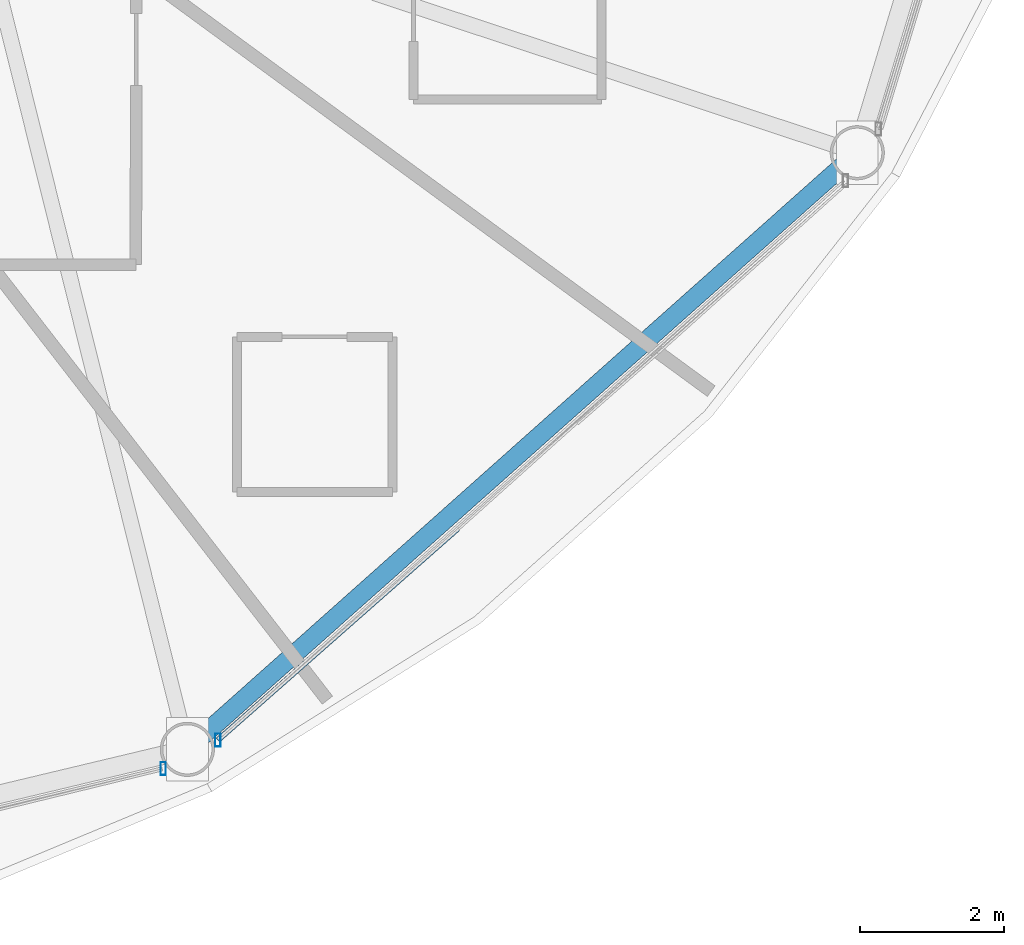
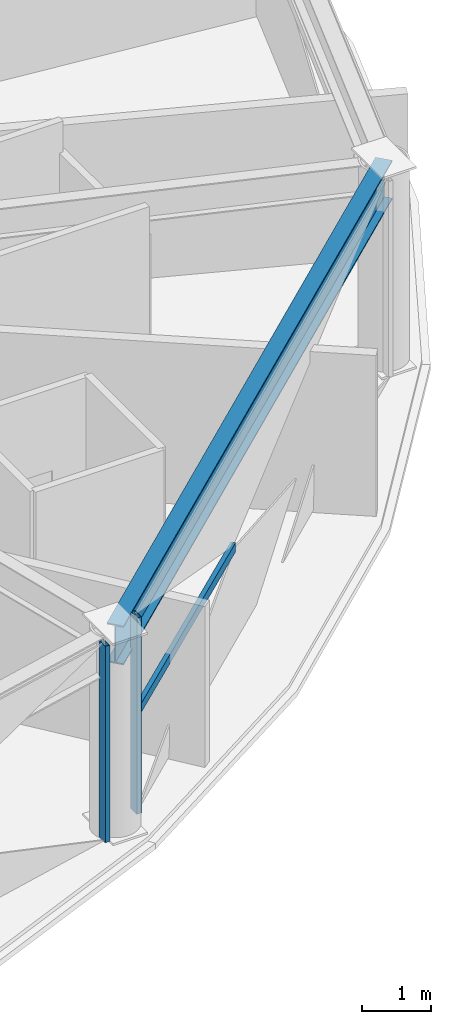
# One storey, part 9 of 31: 3 members, 1 beam, 2 elements without a shape of their own.
"""IFC4 building model written with IfcOpenShell, lengths in metres."""

from ifc_helpers import new_model, si_unit, direction, frame, origin, origin_2d, place, context, subcontext, project, spatial, hollow_rectangle, i_section, extrude, material, layer, layer_set, material_profile, profile_set, type_object, element, aggregate, save


model = new_model("IFC4")

# Units and contexts
model_context = context("Model", 3, precision=1e-05, world=origin(), true_north=direction((0.0, 1.0)))
body_context = subcontext(model_context, "Body", "Model", "MODEL_VIEW")
ifc_project = project(units=[si_unit("LENGTHUNIT", "METRE"), si_unit("AREAUNIT", "SQUARE_METRE"), si_unit("VOLUMEUNIT", "CUBIC_METRE"), si_unit("PLANEANGLEUNIT", "RADIAN"), si_unit("MASSUNIT", "GRAM", prefix="KILO")], contexts=[model_context])

# Site, building, storey
site_placement = place(None, origin())
site = spatial("IfcSite", under=ifc_project, at=site_placement, CompositionType="ELEMENT")
building_placement = place(site_placement, origin())
building = spatial("IfcBuilding", under=site, at=building_placement, Name="Vantalir Tower", CompositionType="ELEMENT")
storey_placement = place(building_placement, frame((0.0, 0.0, 123.449951171875)))
storey = spatial("IfcBuildingStorey", under=building, at=storey_placement, Name="L30", CompositionType="ELEMENT", Elevation=123.449951171875)

# Beam
ifc_material_1 = material(Name="Steel S460", Category="steel")
ifc_material_profile_1 = material_profile(ifc_material_1, i_section(OverallWidth=0.256103515625, OverallDepth=0.693115234375, WebThickness=0.014404296875, FlangeThickness=0.023681640625, at=origin_2d()), Name="Steel S460")
ifc_profile_set_1 = profile_set([ifc_material_profile_1], Name="Steel S460")
beam_type = type_object("IfcBeamType", Name="BM-RG-686x254", PredefinedType="USERDEFINED", material=ifc_profile_set_1)
beam_placement = place(storey_placement, frame((44.169921875, 5.45703125, 3.22314453125), z_axis=(0.746791899704, 0.665057785862, 0.0), x_axis=(-0.665057785862, 0.746791899704, 0.0)))
element("IfcBeam", 1, at=beam_placement, inside=storey, type_object=beam_type, Name="L30 Circumferential Ring Girder 11", ObjectType="GIRDER", PredefinedType="USERDEFINED", context=body_context, shape_type="SweptSolid", body=[
    extrude(i_section(OverallWidth=0.256103515625, OverallDepth=0.693115234375, WebThickness=0.014404296875, FlangeThickness=0.023681640625, at=origin_2d()), origin(), (0.0, 0.0, 1.0), 12.419921875),
])

# Curtain wall, member
ifc_material_2 = material(Name="Champagne-silver PVDF aluminium and double-silver Low-E glass", Category="aluminium")
ifc_layer = layer(ifc_material_2, 0.199951171875)
ifc_layer_set = layer_set([ifc_layer], Name="Champagne-silver PVDF aluminium and double-silver Low-E glass")
curtain_wall_type = type_object("IfcCurtainWallType", Name="CW-DIAMOND-Z2", PredefinedType="USERDEFINED", material=ifc_layer_set)
curtain_wall_1_placement = place(storey_placement, origin())
curtain_wall_1 = element("IfcCurtainWall", 2, at=curtain_wall_1_placement, inside=storey, type_object=curtain_wall_type, Name="L30 Quilted Pyramid-Diamond Curtain Wall S10", ObjectType="UNITISED CURTAIN WALL", PredefinedType="USERDEFINED")
ifc_material_3 = material(Name="Champagne-silver PVDF aluminium 6063-T6", Category="aluminium")
ifc_material_profile_2 = material_profile(ifc_material_3, hollow_rectangle(XDim=0.074951171875, YDim=0.179931640625, WallThickness=0.00390625, at=origin_2d()), Name="Champagne-silver PVDF aluminium 6063-T6")
ifc_profile_set_2 = profile_set([ifc_material_profile_2], Name="Champagne-silver PVDF aluminium 6063-T6")
member_type_1 = type_object("IfcMemberType", Name="CWM-180x75", PredefinedType="MULLION", material=ifc_profile_set_2)
member_1_placement = place(storey_placement, frame((43.8369140625, 5.19091796875, 0.045166015625), z_axis=(0.0, 0.0, 1.0), x_axis=(1.0, 0.0, 0.0)))
member_1 = element("IfcMember", 3, at=member_1_placement, type_object=member_type_1, Name="CW-L30-S10 Mullion 2", PredefinedType="MULLION", context=body_context, shape_type="SweptSolid", body=[
    extrude(hollow_rectangle(XDim=0.074951171875, YDim=0.179931640625, WallThickness=0.00390625, at=origin_2d()), origin(), (0.0, 0.0, 1.0), 3.47998046875),
])
aggregate(curtain_wall_1, [member_1])

# Curtain wall, members
curtain_wall_2_placement = place(storey_placement, origin())
curtain_wall_2 = element("IfcCurtainWall", 4, at=curtain_wall_2_placement, inside=storey, type_object=curtain_wall_type, Name="L30 Quilted Pyramid-Diamond Curtain Wall S11", ObjectType="UNITISED CURTAIN WALL", PredefinedType="USERDEFINED")
member_2_placement = place(storey_placement, frame((44.593017578125, 5.5859375, 0.045166015625), z_axis=(0.0, 0.0, 1.0), x_axis=(1.0, 0.0, 0.0)))
member_2 = element("IfcMember", 5, at=member_2_placement, type_object=member_type_1, Name="CW-L30-S11 Mullion 1", PredefinedType="MULLION", context=body_context, shape_type="SweptSolid", body=[
    extrude(hollow_rectangle(XDim=0.074951171875, YDim=0.179931640625, WallThickness=0.00390625, at=origin_2d()), origin(), (0.0, 0.0, 1.0), 3.47998046875),
])
ifc_material_profile_3 = material_profile(ifc_material_3, hollow_rectangle(XDim=0.074951171875, YDim=0.159912109375, WallThickness=0.00390625, at=origin_2d()), Name="Champagne-silver PVDF aluminium 6063-T6")
ifc_profile_set_3 = profile_set([ifc_material_profile_3], Name="Champagne-silver PVDF aluminium 6063-T6")
member_type_2 = type_object("IfcMemberType", Name="CWT-160x75", PredefinedType="USERDEFINED", material=ifc_profile_set_3)
member_3_placement = place(storey_placement, frame((44.593017578125, 5.5859375, 1.78515625), z_axis=(0.750237110552, 0.661168872491, 0.0), x_axis=(-0.661168872491, 0.750237110552, 0.0)))
member_3 = element("IfcMember", 6, at=member_3_placement, type_object=member_type_2, Name="CW-L30-S11 Pyramid Fold Ridge Transom", ObjectType="TRANSOM", PredefinedType="USERDEFINED", context=body_context, shape_type="SweptSolid", body=[
    extrude(hollow_rectangle(XDim=0.074951171875, YDim=0.159912109375, WallThickness=0.00390625, at=origin_2d()), origin(), (0.0, 0.0, 1.0), 4.424072265625),
])
aggregate(curtain_wall_2, [member_2, member_3])

save(model, "model.ifc")
